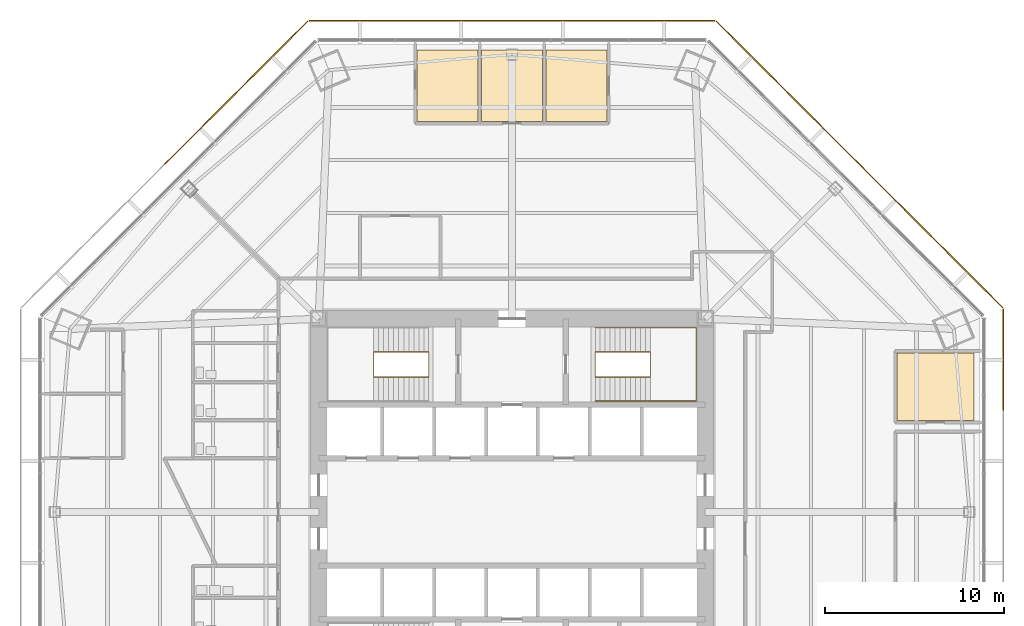
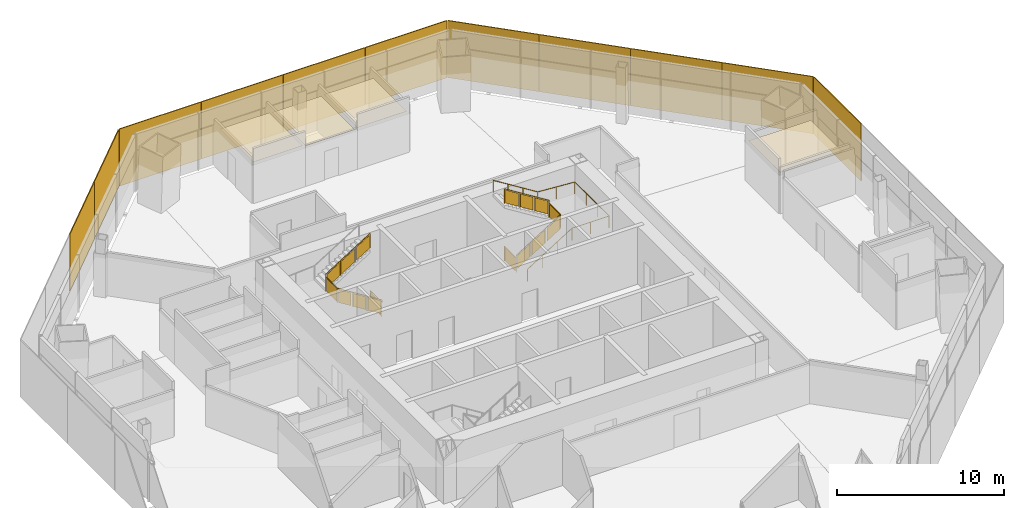
# One storey, part 14 of 15: 11 shading devices, 4 coverings, 3 railings.
"""IFC4 building model written with IfcOpenShell, lengths in metres."""

from ifc_helpers import new_model, si_unit, direction, frame, origin, origin_2d, place, context, subcontext, project, spatial, polyline, rectangle, circle, outline, extrude, source, transform, mapped, material, layer, layer_set, type_object, type_shapes, element, save


model = new_model("IFC4")

# Units and contexts
model_context = context("Model", 3, precision=1e-05, world=origin(), true_north=direction((0.0, 1.0)))
body_context = subcontext(model_context, "Body", "Model", "MODEL_VIEW")
ifc_project = project(units=[si_unit("LENGTHUNIT", "METRE"), si_unit("AREAUNIT", "SQUARE_METRE"), si_unit("VOLUMEUNIT", "CUBIC_METRE"), si_unit("PLANEANGLEUNIT", "RADIAN"), si_unit("MASSUNIT", "GRAM", prefix="KILO")], contexts=[model_context])

# Site, building, storey
site_placement = place(None, origin())
site = spatial("IfcSite", under=ifc_project, at=site_placement, CompositionType="ELEMENT")
building_placement = place(site_placement, origin())
building = spatial("IfcBuilding", under=site, at=building_placement, Name="Mashrafa Tower", CompositionType="ELEMENT")
storey_placement = place(building_placement, frame((0.0, 0.0, 58.199951171875)))
storey = spatial("IfcBuildingStorey", under=building, at=storey_placement, Name="L12", CompositionType="ELEMENT", Elevation=58.199951171875)

# Railings
ifc_material_1 = material(Name="Steel guard with glass infill", Category="steel")
railing_type_1 = type_object("IfcRailingType", Name="Stair guard 1100", PredefinedType="GUARDRAIL", material=ifc_material_1)
railing_1_placement = place(storey_placement, frame((-4.64990234375, 8.949951171875, 0.0)))
element("IfcRailing", 1, at=railing_1_placement, inside=storey, type_object=railing_type_1, Name="Stair S1 guard L12", PredefinedType="GUARDRAIL", context=body_context, shape_type="SweptSolid", body=[
    extrude(circle(Radius=0.02392578125, at=origin_2d()), frame((0.0, 0.0, 1.076171875), z_axis=(0.0, -1.0, 0.0), x_axis=(1.0, 0.0, 0.0)), (0.0, 0.0, 1.0), 1.39990234375),
    extrude(circle(Radius=0.02392578125, at=origin_2d()), frame((0.0, -1.39990234375, 1.076171875), z_axis=(0.0, 0.0, 1.0), x_axis=(1.0, 0.0, 0.0)), (0.0, 0.0, 1.0), 0.175048828125),
    extrude(circle(Radius=0.02392578125, at=origin_2d()), frame((0.0, -1.39990234375, 1.2509765625), z_axis=(-0.847998304005, 0.0, 0.529998940003), x_axis=(0.0, -1.0, 0.0)), (0.0, 0.0, 1.0), 3.632080078125),
    extrude(circle(Radius=0.02392578125, at=origin_2d()), frame((-3.080078125, -1.39990234375, 3.17626953125), z_axis=(0.0, 1.0, 0.0), x_axis=(-1.0, 0.0, 0.0)), (0.0, 0.0, 1.0), 1.39990234375),
    extrude(circle(Radius=0.02392578125, at=origin_2d()), frame((-3.080078125, 0.0, 3.17626953125), z_axis=(0.0, 0.0, 1.0), x_axis=(1.0, 0.0, 0.0)), (0.0, 0.0, 1.0), 0.175048828125),
    extrude(circle(Radius=0.02392578125, at=origin_2d()), frame((-3.080078125, 0.0, 3.35107421875), z_axis=(0.848028513186, 0.0, 0.529950602248), x_axis=(0.0, 1.0, 0.0)), (0.0, 0.0, 1.0), 3.632080078125),
    extrude(circle(Radius=0.02099609375, at=origin_2d()), origin(), (0.0, 0.0, 1.0), 1.052001953125),
    extrude(circle(Radius=0.02099609375, at=origin_2d()), frame((0.0, -1.39990234375, 0.0)), (0.0, 0.0, 1.0), 1.052001953125),
    extrude(circle(Radius=0.02099609375, at=origin_2d()), frame((0.0, -1.39990234375, 0.175048828125)), (0.0, 0.0, 1.0), 1.052001953125),
    extrude(circle(Radius=0.02099609375, at=origin_2d()), frame((-1.026611328125, -1.39990234375, 0.816650390625)), (0.0, 0.0, 1.0), 1.052001953125),
    extrude(circle(Radius=0.02099609375, at=origin_2d()), frame((-2.053466796875, -1.39990234375, 1.45849609375)), (0.0, 0.0, 1.0), 1.052001953125),
    extrude(circle(Radius=0.02099609375, at=origin_2d()), frame((-3.080078125, -1.39990234375, 2.10009765625)), (0.0, 0.0, 1.0), 1.052001953125),
    extrude(circle(Radius=0.02099609375, at=origin_2d()), frame((-3.080078125, 0.0, 2.10009765625)), (0.0, 0.0, 1.0), 1.052001953125),
    extrude(circle(Radius=0.02099609375, at=origin_2d()), frame((-3.080078125, 0.0, 2.275146484375)), (0.0, 0.0, 1.0), 1.052001953125),
    extrude(circle(Radius=0.02099609375, at=origin_2d()), frame((-2.053466796875, 0.0, 2.916748046875)), (0.0, 0.0, 1.0), 1.052001953125),
    extrude(circle(Radius=0.02099609375, at=origin_2d()), frame((-1.026611328125, 0.0, 3.558349609375)), (0.0, 0.0, 1.0), 1.052001953125),
    extrude(circle(Radius=0.02099609375, at=origin_2d()), frame((0.0, 0.0, 4.199951171875)), (0.0, 0.0, 1.0), 1.052001953125),
    extrude(outline(polyline([(0.071044921875, 0.050048828125), (1.328857421875, 0.050048828125), (1.328857421875, 1.001953125), (0.071044921875, 1.001953125), (0.071044921875, 0.050048828125)])), frame((-0.006103515625, 0.0, 0.0), z_axis=(-1.0, 0.0, 0.0), x_axis=(0.0, -1.0, 0.0)), (0.0, 0.0, 1.0), 0.011962890625),
    extrude(outline(polyline([(0.071044921875, 0.094482421875), (0.955810546875, 0.647216796875), (0.955810546875, 1.599365234375), (0.071044921875, 1.04638671875), (0.071044921875, 0.094482421875)])), frame((0.0, -1.393798828125, 0.175048828125), z_axis=(0.0, 1.0, 0.0), x_axis=(-1.0, 0.0, 0.0)), (0.0, 0.0, 1.0), 0.011962890625),
    extrude(outline(polyline([(1.09765625, 0.736083984375), (1.982421875, 1.2890625), (1.982421875, 2.240966796875), (1.09765625, 1.68798828125), (1.09765625, 0.736083984375)])), frame((0.0, -1.393798828125, 0.175048828125), z_axis=(0.0, 1.0, 0.0), x_axis=(-1.0, 0.0, 0.0)), (0.0, 0.0, 1.0), 0.011962890625),
    extrude(outline(polyline([(2.124267578125, 1.377685546875), (3.009033203125, 1.9306640625), (3.009033203125, 2.882568359375), (2.124267578125, 2.329833984375), (2.124267578125, 1.377685546875)])), frame((0.0, -1.393798828125, 0.175048828125), z_axis=(0.0, 1.0, 0.0), x_axis=(-1.0, 0.0, 0.0)), (0.0, 0.0, 1.0), 0.011962890625),
    extrude(outline(polyline([(0.071044921875, 0.050048828125), (1.328857421875, 0.050048828125), (1.328857421875, 1.001953125), (0.071044921875, 1.001953125), (0.071044921875, 0.050048828125)])), frame((-3.073974609375, -1.39990234375, 2.10009765625), z_axis=(1.0, 0.0, 0.0), x_axis=(0.0, 1.0, 0.0)), (0.0, 0.0, 1.0), 0.011962890625),
    extrude(outline(polyline([(0.071044921875, 0.094482421875), (0.955810546875, 0.647216796875), (0.955810546875, 1.59912109375), (0.071044921875, 1.04638671875), (0.071044921875, 0.094482421875)])), frame((-3.080078125, -0.006103515625, 2.275146484375), z_axis=(0.0, -1.0, 0.0), x_axis=(1.0, 0.0, 0.0)), (0.0, 0.0, 1.0), 0.011962890625),
    extrude(outline(polyline([(1.09765625, 0.736083984375), (1.982421875, 1.288818359375), (1.982421875, 2.24072265625), (1.09765625, 1.68798828125), (1.09765625, 0.736083984375)])), frame((-3.080078125, -0.006103515625, 2.275146484375), z_axis=(0.0, -1.0, 0.0), x_axis=(1.0, 0.0, 0.0)), (0.0, 0.0, 1.0), 0.011962890625),
    extrude(outline(polyline([(2.124267578125, 1.377685546875), (3.009033203125, 1.930419921875), (3.009033203125, 2.88232421875), (2.124267578125, 2.32958984375), (2.124267578125, 1.377685546875)])), frame((-3.080078125, -0.006103515625, 2.275146484375), z_axis=(0.0, -1.0, 0.0), x_axis=(1.0, 0.0, 0.0)), (0.0, 0.0, 1.0), 0.011962890625),
])
railing_2_placement = place(storey_placement, frame((4.64990234375, 8.949951171875, 0.0)))
element("IfcRailing", 2, at=railing_2_placement, inside=storey, type_object=railing_type_1, Name="Stair S2 guard L12", PredefinedType="GUARDRAIL", context=body_context, shape_type="SweptSolid", body=[
    extrude(circle(Radius=0.02392578125, at=origin_2d()), frame((0.0, 0.0, 1.076171875), z_axis=(0.0, -1.0, 0.0), x_axis=(1.0, 0.0, 0.0)), (0.0, 0.0, 1.0), 1.39990234375),
    extrude(circle(Radius=0.02392578125, at=origin_2d()), frame((0.0, -1.39990234375, 1.076171875), z_axis=(0.0, 0.0, 1.0), x_axis=(1.0, 0.0, 0.0)), (0.0, 0.0, 1.0), 0.175048828125),
    extrude(circle(Radius=0.02392578125, at=origin_2d()), frame((0.0, -1.39990234375, 1.2509765625), z_axis=(0.847998304005, 0.0, 0.529998940003), x_axis=(0.0, 1.0, 0.0)), (0.0, 0.0, 1.0), 3.632080078125),
    extrude(circle(Radius=0.02392578125, at=origin_2d()), frame((3.080078125, -1.39990234375, 3.17626953125), z_axis=(0.0, 1.0, 0.0), x_axis=(-1.0, 0.0, 0.0)), (0.0, 0.0, 1.0), 1.39990234375),
    extrude(circle(Radius=0.02392578125, at=origin_2d()), frame((3.080078125, 0.0, 3.17626953125), z_axis=(0.0, 0.0, 1.0), x_axis=(1.0, 0.0, 0.0)), (0.0, 0.0, 1.0), 0.175048828125),
    extrude(circle(Radius=0.02392578125, at=origin_2d()), frame((3.080078125, 0.0, 3.35107421875), z_axis=(-0.848028513186, 0.0, 0.529950602248), x_axis=(0.0, -1.0, 0.0)), (0.0, 0.0, 1.0), 3.632080078125),
    extrude(circle(Radius=0.02099609375, at=origin_2d()), origin(), (0.0, 0.0, 1.0), 1.052001953125),
    extrude(circle(Radius=0.02099609375, at=origin_2d()), frame((0.0, -1.39990234375, 0.0)), (0.0, 0.0, 1.0), 1.052001953125),
    extrude(circle(Radius=0.02099609375, at=origin_2d()), frame((0.0, -1.39990234375, 0.175048828125)), (0.0, 0.0, 1.0), 1.052001953125),
    extrude(circle(Radius=0.02099609375, at=origin_2d()), frame((1.026611328125, -1.39990234375, 0.816650390625)), (0.0, 0.0, 1.0), 1.052001953125),
    extrude(circle(Radius=0.02099609375, at=origin_2d()), frame((2.053466796875, -1.39990234375, 1.45849609375)), (0.0, 0.0, 1.0), 1.052001953125),
    extrude(circle(Radius=0.02099609375, at=origin_2d()), frame((3.080078125, -1.39990234375, 2.10009765625)), (0.0, 0.0, 1.0), 1.052001953125),
    extrude(circle(Radius=0.02099609375, at=origin_2d()), frame((3.080078125, 0.0, 2.10009765625)), (0.0, 0.0, 1.0), 1.052001953125),
    extrude(circle(Radius=0.02099609375, at=origin_2d()), frame((3.080078125, 0.0, 2.275146484375)), (0.0, 0.0, 1.0), 1.052001953125),
    extrude(circle(Radius=0.02099609375, at=origin_2d()), frame((2.053466796875, 0.0, 2.916748046875)), (0.0, 0.0, 1.0), 1.052001953125),
    extrude(circle(Radius=0.02099609375, at=origin_2d()), frame((1.026611328125, 0.0, 3.558349609375)), (0.0, 0.0, 1.0), 1.052001953125),
    extrude(circle(Radius=0.02099609375, at=origin_2d()), frame((0.0, 0.0, 4.199951171875)), (0.0, 0.0, 1.0), 1.052001953125),
    extrude(outline(polyline([(0.071044921875, 0.050048828125), (1.328857421875, 0.050048828125), (1.328857421875, 1.001953125), (0.071044921875, 1.001953125), (0.071044921875, 0.050048828125)])), frame((-0.006103515625, 0.0, 0.0), z_axis=(-1.0, 0.0, 0.0), x_axis=(0.0, -1.0, 0.0)), (0.0, 0.0, 1.0), 0.011962890625),
    extrude(outline(polyline([(0.071044921875, 0.094482421875), (0.955810546875, 0.647216796875), (0.955810546875, 1.599365234375), (0.071044921875, 1.04638671875), (0.071044921875, 0.094482421875)])), frame((0.0, -1.406005859375, 0.175048828125), z_axis=(0.0, -1.0, 0.0), x_axis=(1.0, 0.0, 0.0)), (0.0, 0.0, 1.0), 0.011962890625),
    extrude(outline(polyline([(1.09765625, 0.736083984375), (1.982421875, 1.2890625), (1.982421875, 2.240966796875), (1.09765625, 1.68798828125), (1.09765625, 0.736083984375)])), frame((0.0, -1.406005859375, 0.175048828125), z_axis=(0.0, -1.0, 0.0), x_axis=(1.0, 0.0, 0.0)), (0.0, 0.0, 1.0), 0.011962890625),
    extrude(outline(polyline([(2.124267578125, 1.377685546875), (3.009033203125, 1.9306640625), (3.009033203125, 2.882568359375), (2.124267578125, 2.329833984375), (2.124267578125, 1.377685546875)])), frame((0.0, -1.406005859375, 0.175048828125), z_axis=(0.0, -1.0, 0.0), x_axis=(1.0, 0.0, 0.0)), (0.0, 0.0, 1.0), 0.011962890625),
    extrude(outline(polyline([(0.071044921875, 0.050048828125), (1.328857421875, 0.050048828125), (1.328857421875, 1.001953125), (0.071044921875, 1.001953125), (0.071044921875, 0.050048828125)])), frame((3.086181640625, -1.39990234375, 2.10009765625), z_axis=(1.0, 0.0, 0.0), x_axis=(0.0, 1.0, 0.0)), (0.0, 0.0, 1.0), 0.011962890625),
    extrude(outline(polyline([(0.071044921875, 0.094482421875), (0.955810546875, 0.647216796875), (0.955810546875, 1.59912109375), (0.071044921875, 1.04638671875), (0.071044921875, 0.094482421875)])), frame((3.080078125, 0.006103515625, 2.275146484375), z_axis=(0.0, 1.0, 0.0), x_axis=(-1.0, 0.0, 0.0)), (0.0, 0.0, 1.0), 0.011962890625),
    extrude(outline(polyline([(1.09765625, 0.736083984375), (1.982421875, 1.288818359375), (1.982421875, 2.24072265625), (1.09765625, 1.68798828125), (1.09765625, 0.736083984375)])), frame((3.080078125, 0.006103515625, 2.275146484375), z_axis=(0.0, 1.0, 0.0), x_axis=(-1.0, 0.0, 0.0)), (0.0, 0.0, 1.0), 0.011962890625),
    extrude(outline(polyline([(2.124267578125, 1.377685546875), (3.009033203125, 1.930419921875), (3.009033203125, 2.88232421875), (2.124267578125, 2.32958984375), (2.124267578125, 1.377685546875)])), frame((3.080078125, 0.006103515625, 2.275146484375), z_axis=(0.0, 1.0, 0.0), x_axis=(-1.0, 0.0, 0.0)), (0.0, 0.0, 1.0), 0.011962890625),
])
ifc_material_2 = material(Name="Steel", Category="steel")
railing_type_2 = type_object("IfcRailingType", Name="Stair handrail 900", PredefinedType="HANDRAIL", material=ifc_material_2)
railing_3_placement = place(storey_placement, frame((4.64990234375, 6.199951171875, 0.175048828125)))
element("IfcRailing", 3, at=railing_3_placement, inside=storey, type_object=railing_type_2, Name="Stair S2 handrail L12", PredefinedType="HANDRAIL", context=body_context, shape_type="SweptSolid", body=[
    extrude(circle(Radius=0.02392578125, at=origin_2d()), frame((0.0, 0.0, 0.8759765625), z_axis=(0.847998304005, 0.0, 0.529998940003), x_axis=(0.0, 1.0, 0.0)), (0.0, 0.0, 1.0), 3.632080078125),
    extrude(circle(Radius=0.02392578125, at=origin_2d()), frame((3.080078125, 0.0, 2.80078125), z_axis=(1.0, 0.0, 0.0), x_axis=(0.0, 1.0, 0.0)), (0.0, 0.0, 1.0), 2.570068359375),
    extrude(circle(Radius=0.02392578125, at=origin_2d()), frame((5.650146484375, 0.0, 2.80078125), z_axis=(0.0, 1.0, 0.0), x_axis=(-1.0, 0.0, 0.0)), (0.0, 0.0, 1.0), 4.10009765625),
    extrude(circle(Radius=0.02392578125, at=origin_2d()), frame((5.650146484375, 4.10009765625, 2.80078125), z_axis=(-0.997688514158, 0.0, 0.067953136188), x_axis=(0.0, -1.0, 0.0)), (0.0, 0.0, 1.0), 2.575927734375),
    extrude(circle(Radius=0.02392578125, at=origin_2d()), frame((3.080078125, 4.10009765625, 2.97607421875), z_axis=(-0.848028513186, 0.0, 0.529950602248), x_axis=(0.0, -1.0, 0.0)), (0.0, 0.0, 1.0), 3.632080078125),
    extrude(circle(Radius=0.02099609375, at=origin_2d()), origin(), (0.0, 0.0, 1.0), 0.851806640625),
    extrude(circle(Radius=0.02099609375, at=origin_2d()), frame((1.026611328125, 0.0, 0.6416015625)), (0.0, 0.0, 1.0), 0.851806640625),
    extrude(circle(Radius=0.02099609375, at=origin_2d()), frame((2.053466796875, 0.0, 1.283447265625)), (0.0, 0.0, 1.0), 0.851806640625),
    extrude(circle(Radius=0.02099609375, at=origin_2d()), frame((3.080078125, 0.0, 1.925048828125)), (0.0, 0.0, 1.0), 0.851806640625),
    extrude(circle(Radius=0.02099609375, at=origin_2d()), frame((4.365234375, 0.0, 1.925048828125)), (0.0, 0.0, 1.0), 0.851806640625),
    extrude(circle(Radius=0.02099609375, at=origin_2d()), frame((5.650146484375, 0.0, 1.925048828125)), (0.0, 0.0, 1.0), 0.851806640625),
    extrude(circle(Radius=0.02099609375, at=origin_2d()), frame((5.650146484375, 1.36669921875, 1.925048828125)), (0.0, 0.0, 1.0), 0.851806640625),
    extrude(circle(Radius=0.02099609375, at=origin_2d()), frame((5.650146484375, 2.7333984375, 1.925048828125)), (0.0, 0.0, 1.0), 0.851806640625),
    extrude(circle(Radius=0.02099609375, at=origin_2d()), frame((5.650146484375, 4.10009765625, 1.925048828125)), (0.0, 0.0, 1.0), 0.851806640625),
    extrude(circle(Radius=0.02099609375, at=origin_2d()), frame((4.365234375, 4.10009765625, 2.0126953125)), (0.0, 0.0, 1.0), 0.851806640625),
    extrude(circle(Radius=0.02099609375, at=origin_2d()), frame((3.080078125, 4.10009765625, 2.10009765625)), (0.0, 0.0, 1.0), 0.851806640625),
    extrude(circle(Radius=0.02099609375, at=origin_2d()), frame((2.053466796875, 4.10009765625, 2.74169921875)), (0.0, 0.0, 1.0), 0.851806640625),
    extrude(circle(Radius=0.02099609375, at=origin_2d()), frame((1.026611328125, 4.10009765625, 3.38330078125)), (0.0, 0.0, 1.0), 0.851806640625),
    extrude(circle(Radius=0.02099609375, at=origin_2d()), frame((0.0, 4.10009765625, 4.02490234375)), (0.0, 0.0, 1.0), 0.851806640625),
])

# Coverings
ifc_material_3 = material(Name="Mineral fibre tile on suspension grid")
ifc_layer_1 = layer(ifc_material_3, 0.014892578125)
ifc_layer_set_1 = layer_set([ifc_layer_1], Name="Suspended ceiling mineral tile 15")
covering_type = type_object("IfcCoveringType", Name="Suspended ceiling mineral tile 15", PredefinedType="CEILING", material=ifc_layer_set_1)
covering_1_placement = place(storey_placement, frame((0.0, 0.0, 2.900146484375)))
element("IfcCovering", 4, at=covering_1_placement, inside=storey, type_object=covering_type, Name="Ceiling Office 12-A-1", PredefinedType="CEILING", context=body_context, shape_type="SweptSolid", body=[
    extrude(outline(polyline([(1.89990234375, 25.818359375), (5.300048828125, 25.818359375), (5.300048828125, 21.818359375), (1.89990234375, 21.818359375), (1.89990234375, 25.818359375)])), origin(), (0.0, 0.0, 1.0), 0.014892578125),
])
covering_2_placement = place(storey_placement, frame((0.0, 0.0, 2.85009765625)))
element("IfcCovering", 5, at=covering_2_placement, inside=storey, type_object=covering_type, Name="Ceiling Office 12-A-2", PredefinedType="CEILING", context=body_context, shape_type="SweptSolid", body=[
    extrude(outline(polyline([(-1.699951171875, 25.818359375), (1.699951171875, 25.818359375), (1.699951171875, 21.818359375), (-1.699951171875, 21.818359375), (-1.699951171875, 25.818359375)])), origin(), (0.0, 0.0, 1.0), 0.014892578125),
])
covering_3_placement = place(storey_placement, frame((0.0, 0.0, 2.900146484375)))
element("IfcCovering", 6, at=covering_3_placement, inside=storey, type_object=covering_type, Name="Ceiling Office 12-A-3", PredefinedType="CEILING", context=body_context, shape_type="SweptSolid", body=[
    extrude(outline(polyline([(-5.300048828125, 25.818359375), (-1.89990234375, 25.818359375), (-1.89990234375, 21.818359375), (-5.300048828125, 21.818359375), (-5.300048828125, 25.818359375)])), origin(), (0.0, 0.0, 1.0), 0.014892578125),
])
covering_4_placement = place(storey_placement, frame((0.0, 0.0, 2.900146484375)))
element("IfcCovering", 7, at=covering_4_placement, inside=storey, type_object=covering_type, Name="Ceiling Project Meeting Room 12-A1", PredefinedType="CEILING", context=body_context, shape_type="SweptSolid", body=[
    extrude(outline(polyline([(21.518310546875, 8.89990234375), (25.818359375, 8.89990234375), (25.818359375, 5.10009765625), (21.518310546875, 5.10009765625), (21.518310546875, 8.89990234375)])), origin(), (0.0, 0.0, 1.0), 0.014892578125),
])

# Shading devices
ifc_material_4 = material(Name="Perforated aluminium plate, eight-point star pattern", Category="aluminium")
ifc_layer_2 = layer(ifc_material_4, 0.06005859375)
ifc_layer_set_2 = layer_set([ifc_layer_2], Name="Mashrabiya screen panel office zone 1, 45 percent open")
shading_device_type = type_object("IfcShadingDeviceType", Name="Mashrabiya screen panel office zone 1, 45 percent open", PredefinedType="SHUTTER", material=ifc_layer_set_2)
shared_shape = source(origin(), body_context, "Body", "SweptSolid", [
    extrude(rectangle(XDim=5.65771484375, YDim=0.06005859375, at=origin_2d()), origin(), (0.0, 0.0, 1.0), 4.179931640625),
])
type_shapes(shading_device_type, [shared_shape])
for number, where, z_axis, x_axis, name in (
    (8, (27.46826171875, 8.5166015625, -0.14990234375), (0.0, 0.0, 1.0), (0.0, 1.0, 0.0), "Mashrabiya screen L12 east 4"),
    (9, (25.445068359375, 13.40087890625, -0.14990234375), (0.0, 0.0, 1.0), (-0.707106781187, 0.707106781187, 0.0), "Mashrabiya screen L12 north-east 1"),
    (10, (21.430419921875, 17.415771484375, -0.14990234375), (0.0, 0.0, 1.0), (-0.707106781187, 0.707106781187, 0.0), "Mashrabiya screen L12 north-east 2"),
    (11, (17.415771484375, 21.430419921875, -0.14990234375), (0.0, 0.0, 1.0), (-0.707106781187, 0.707106781187, 0.0), "Mashrabiya screen L12 north-east 3"),
    (12, (13.40087890625, 25.445068359375, -0.14990234375), (0.0, 0.0, 1.0), (-0.707106781187, 0.707106781187, 0.0), "Mashrabiya screen L12 north-east 4"),
    (13, (8.5166015625, 27.46826171875, -0.14990234375), (0.0, 0.0, 1.0), (-1.0, 0.0, 0.0), "Mashrabiya screen L12 north 1"),
    (14, (2.8388671875, 27.46826171875, -0.14990234375), (0.0, 0.0, 1.0), (-1.0, 0.0, 0.0), "Mashrabiya screen L12 north 2"),
    (15, (-2.8388671875, 27.46826171875, -0.14990234375), (0.0, 0.0, 1.0), (-1.0, 0.0, 0.0), "Mashrabiya screen L12 north 3"),
    (16, (-8.5166015625, 27.46826171875, -0.14990234375), (0.0, 0.0, 1.0), (-1.0, 0.0, 0.0), "Mashrabiya screen L12 north 4"),
    (17, (-13.40087890625, 25.445068359375, -0.14990234375), (0.0, 0.0, 1.0), (-0.707106781187, -0.707106781187, 0.0), "Mashrabiya screen L12 north-west 1"),
    (18, (-17.415771484375, 21.430419921875, -0.14990234375), (0.0, 0.0, 1.0), (-0.707106781187, -0.707106781187, 0.0), "Mashrabiya screen L12 north-west 2"),
):
    element("IfcShadingDevice", number, at=place(storey_placement, frame(where, z_axis=z_axis, x_axis=x_axis)), inside=storey, type_object=shading_device_type, Name=name, PredefinedType="SHUTTER", context=body_context, shape_type="MappedRepresentation", body=[
        mapped(shared_shape, transform((0.0, 0.0, 0.0))),
    ])

save(model, "model.ifc")
